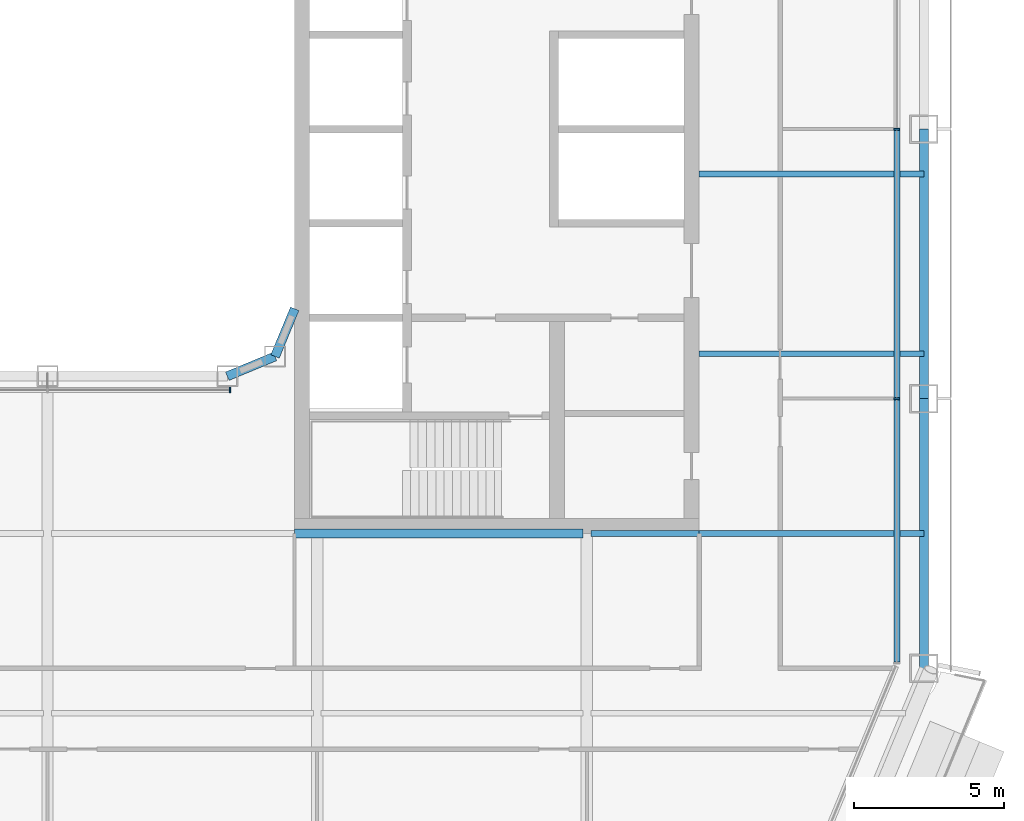
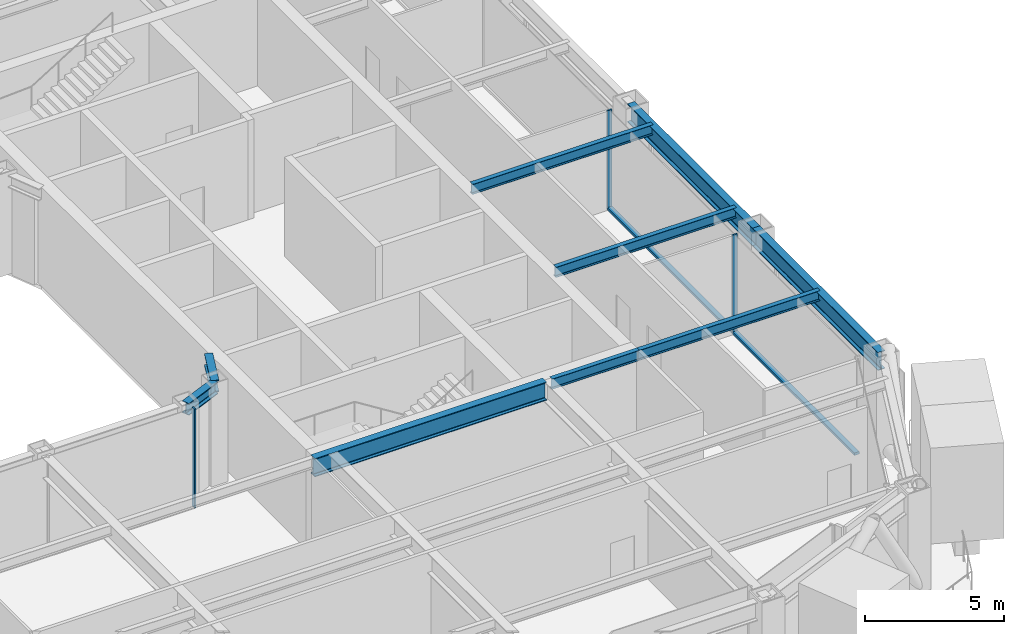
# One storey, part 5 of 23: 9 beams, 5 members, 2 elements without a shape of their own.
"""IFC4 building model written with IfcOpenShell, lengths in metres."""

from ifc_helpers import new_model, si_unit, direction, frame, origin, origin_2d, place, context, subcontext, project, spatial, rectangle, i_section, extrude, material, layer, layer_set, material_profile, profile_set, type_object, element, aggregate, save


model = new_model("IFC4")

# Units and contexts
model_context = context("Model", 3, precision=1e-05, world=origin(), true_north=direction((0.0, 1.0)))
body_context = subcontext(model_context, "Body", "Model", "MODEL_VIEW")
ifc_project = project(units=[si_unit("LENGTHUNIT", "METRE"), si_unit("AREAUNIT", "SQUARE_METRE"), si_unit("VOLUMEUNIT", "CUBIC_METRE"), si_unit("PLANEANGLEUNIT", "RADIAN"), si_unit("MASSUNIT", "GRAM", prefix="KILO")], contexts=[model_context])

# Site, building, storey
site_placement = place(None, origin())
site = spatial("IfcSite", under=ifc_project, at=site_placement, CompositionType="ELEMENT")
building_placement = place(site_placement, origin())
building = spatial("IfcBuilding", under=site, at=building_placement, Name="Siwar Civic Tower", CompositionType="ELEMENT")
storey_placement = place(building_placement, frame((0.0, 0.0, 127.199951171875)))
storey = spatial("IfcBuildingStorey", under=building, at=storey_placement, Name="L27", CompositionType="ELEMENT", Elevation=127.199951171875)

# Curtain wall, members
ifc_material_1 = material(Name="Aluminium and glass", Category="aluminium")
ifc_layer_1 = layer(ifc_material_1, 0.199951171875)
ifc_layer_set_1 = layer_set([ifc_layer_1], Name="Aluminium and glass")
curtain_wall_type_1 = type_object("IfcCurtainWallType", Name="ENV-CW-B", PredefinedType="NOTDEFINED", material=ifc_layer_set_1)
curtain_wall_1_placement = place(storey_placement, origin())
curtain_wall_1 = element("IfcCurtainWall", 1, at=curtain_wall_1_placement, inside=storey, type_object=curtain_wall_type_1, Name="Curtain wall B E", PredefinedType="NOTDEFINED")
ifc_material_2 = material(Name="Aluminium 6063-T6", Category="aluminium")
ifc_material_profile_1 = material_profile(ifc_material_2, rectangle(XDim=0.199951171875, YDim=0.06494140625, at=origin_2d()), Name="AL 200x65")
ifc_profile_set_1 = profile_set([ifc_material_profile_1], Name="Aluminium 6063-T6")
member_type_1 = type_object("IfcMemberType", Name="ENV-MULLION-B", PredefinedType="MULLION", material=ifc_profile_set_1)
member_1_placement = place(storey_placement, frame((28.35009765625, -9.0, 0.0), z_axis=(0.0, 0.0, 1.0), x_axis=(-1.0, 0.0, 0.0)))
member_1 = element("IfcMember", 2, at=member_1_placement, type_object=member_type_1, Name="Mullion B E 2", PredefinedType="MULLION", context=body_context, shape_type="SweptSolid", body=[
    extrude(rectangle(XDim=0.199951171875, YDim=0.06494140625, at=origin_2d()), origin(), (0.0, 0.0, 1.0), 4.35009765625),
])
member_2_placement = place(storey_placement, frame((28.35009765625, 0.0, 0.0), z_axis=(0.0, 0.0, 1.0), x_axis=(-1.0, 0.0, 0.0)))
member_2 = element("IfcMember", 3, at=member_2_placement, type_object=member_type_1, Name="Mullion B E 3", PredefinedType="MULLION", context=body_context, shape_type="SweptSolid", body=[
    extrude(rectangle(XDim=0.199951171875, YDim=0.06494140625, at=origin_2d()), origin(), (0.0, 0.0, 1.0), 4.35009765625),
])

# Curtain wall, member
ifc_material_3 = material(Name="Aluminium and glass", Category="aluminium")
ifc_layer_2 = layer(ifc_material_3, 0.179931640625)
ifc_layer_set_2 = layer_set([ifc_layer_2], Name="Aluminium and glass")
curtain_wall_type_2 = type_object("IfcCurtainWallType", Name="ENV-CW-W", PredefinedType="NOTDEFINED", material=ifc_layer_set_2)
curtain_wall_2_placement = place(storey_placement, origin())
curtain_wall_2 = element("IfcCurtainWall", 4, at=curtain_wall_2_placement, inside=storey, type_object=curtain_wall_type_2, Name="Curtain wall W WS", PredefinedType="NOTDEFINED")
ifc_material_4 = material(Name="Aluminium 6063-T6", Category="aluminium")
ifc_material_profile_2 = material_profile(ifc_material_4, rectangle(XDim=0.179931640625, YDim=0.06005859375, at=origin_2d()), Name="AL 180x60")
ifc_profile_set_2 = profile_set([ifc_material_profile_2], Name="Aluminium 6063-T6")
member_type_2 = type_object("IfcMemberType", Name="ENV-MULLION-W", PredefinedType="MULLION", material=ifc_profile_set_2)
member_3_placement = place(storey_placement, frame((6.091552734375, -8.7099609375, 0.0), z_axis=(0.0, 0.0, 1.0), x_axis=(0.0, 1.0, 0.0)))
member_3 = element("IfcMember", 5, at=member_3_placement, type_object=member_type_2, Name="Mullion W WS 3", PredefinedType="MULLION", context=body_context, shape_type="SweptSolid", body=[
    extrude(rectangle(XDim=0.179931640625, YDim=0.06005859375, at=origin_2d()), origin(), (0.0, 0.0, 1.0), 4.35009765625),
])
aggregate(curtain_wall_2, [member_3])

# Member
ifc_material_5 = material(Name="Aluminium 6063-T6", Category="aluminium")
ifc_material_profile_3 = material_profile(ifc_material_5, rectangle(XDim=0.199951171875, YDim=0.110107421875, at=origin_2d()), Name="AL 200x110")
ifc_profile_set_3 = profile_set([ifc_material_profile_3], Name="Aluminium 6063-T6")
member_type_3 = type_object("IfcMemberType", Name="ENV-TRANSOM-B", PredefinedType="USERDEFINED", material=ifc_profile_set_3)
member_4_placement = place(storey_placement, frame((28.35009765625, -17.78857421875, 0.054931640625), z_axis=(0.0, 1.0, 0.0), x_axis=(-1.0, 0.0, 0.0)))
member_4 = element("IfcMember", 6, at=member_4_placement, type_object=member_type_3, Name="Transom B E 1", ObjectType="TRANSOM", PredefinedType="USERDEFINED", context=body_context, shape_type="SweptSolid", body=[
    extrude(rectangle(XDim=0.199951171875, YDim=0.110107421875, at=origin_2d()), origin(), (0.0, 0.0, 1.0), 8.756103515625),
])

member_5_placement = place(storey_placement, frame((28.35009765625, -8.967529296875, 0.054931640625), z_axis=(0.0, 1.0, 0.0), x_axis=(-1.0, 0.0, 0.0)))
member_5 = element("IfcMember", 7, at=member_5_placement, type_object=member_type_3, Name="Transom B E 2", ObjectType="TRANSOM", PredefinedType="USERDEFINED", context=body_context, shape_type="SweptSolid", body=[
    extrude(rectangle(XDim=0.199951171875, YDim=0.110107421875, at=origin_2d()), origin(), (0.0, 0.0, 1.0), 8.93505859375),
])

aggregate(curtain_wall_1, [member_1, member_2, member_4, member_5])

# Beams
ifc_material_6 = material(Name="Steel S355", Category="steel")
ifc_material_profile_4 = material_profile(ifc_material_6, i_section(OverallWidth=0.18994140625, OverallDepth=0.449951171875, WebThickness=0.009521484375, FlangeThickness=0.0146484375, FilletRadius=0.02099609375, at=origin_2d()), Name="IPE450")
ifc_profile_set_4 = profile_set([ifc_material_profile_4], Name="Steel S355")
beam_type_1 = type_object("IfcBeamType", Name="STR-FB-IPE450", PredefinedType="JOIST", material=ifc_profile_set_4)
beam_1_placement = place(storey_placement, frame((18.1298828125, -13.5, 4.125), z_axis=(1.0, 0.0, 0.0), x_axis=(0.0, 1.0, 0.0)))
element("IfcBeam", 8, at=beam_1_placement, inside=storey, type_object=beam_type_1, Name="L27/bm/F019", PredefinedType="JOIST", context=body_context, shape_type="SweptSolid", body=[
    extrude(i_section(OverallWidth=0.18994140625, OverallDepth=0.449951171875, WebThickness=0.009521484375, FlangeThickness=0.0146484375, FilletRadius=0.02099609375, at=origin_2d()), origin(), (0.0, 0.0, 1.0), 3.6201171875),
])
for number, where, z_axis, x_axis, name in (
    (9, (21.75, -13.5, 4.125), (1.0, 0.0, 0.0), (0.0, 1.0, 0.0), "L27/bm/F020"),
    (10, (21.75, -7.5, 4.125), (1.0, 0.0, 0.0), (0.0, 1.0, 0.0), "L27/bm/F022"),
    (11, (21.75, -1.5, 4.125), (1.0, 0.0, 0.0), (0.0, 1.0, 0.0), "L27/bm/F024"),
):
    element("IfcBeam", number, at=place(storey_placement, frame(where, z_axis=z_axis, x_axis=x_axis)), inside=storey, type_object=beam_type_1, Name=name, PredefinedType="JOIST", context=body_context, shape_type="SweptSolid", body=[
        extrude(i_section(OverallWidth=0.18994140625, OverallDepth=0.449951171875, WebThickness=0.009521484375, FlangeThickness=0.0146484375, FilletRadius=0.02099609375, at=origin_2d()), origin(), (0.0, 0.0, 1.0), 7.5),
    ])
ifc_material_7 = material(Name="Steel S355", Category="steel")
ifc_material_profile_5 = material_profile(ifc_material_7, i_section(OverallWidth=0.300048828125, OverallDepth=0.800048828125, WebThickness=0.017578125, FlangeThickness=0.032958984375, FilletRadius=0.030029296875, at=origin_2d()), Name="HEB800")
ifc_profile_set_5 = profile_set([ifc_material_profile_5], Name="Steel S355")
beam_type_2 = type_object("IfcBeamType", Name="STR-PG-HEB800", PredefinedType="BEAM", material=ifc_profile_set_5)
beam_2_placement = place(storey_placement, frame((8.25, -13.5, 3.949951171875), z_axis=(1.0, 0.0, 0.0), x_axis=(0.0, 1.0, 0.0)))
element("IfcBeam", 12, at=beam_2_placement, inside=storey, type_object=beam_type_2, Name="L27/bm/F018", PredefinedType="BEAM", context=body_context, shape_type="SweptSolid", body=[
    extrude(i_section(OverallWidth=0.300048828125, OverallDepth=0.800048828125, WebThickness=0.017578125, FlangeThickness=0.032958984375, FilletRadius=0.030029296875, at=origin_2d()), origin(), (0.0, 0.0, 1.0), 9.6201171875),
])
ifc_material_8 = material(Name="Steel S355", Category="steel")
ifc_material_profile_6 = material_profile(ifc_material_8, i_section(OverallWidth=0.305908203125, OverallDepth=0.52392578125, WebThickness=0.02099609375, FlangeThickness=0.0400390625, FilletRadius=0.027099609375, at=origin_2d()), Name="HEM500")
ifc_profile_set_6 = profile_set([ifc_material_profile_6], Name="Steel S355")
beam_type_3 = type_object("IfcBeamType", Name="STR-RB-HEM500", PredefinedType="BEAM", material=ifc_profile_set_6)
for number, where, z_axis, x_axis, name in (
    (13, (6.0, -8.25, 4.088134765625), (0.923901072997, 0.382631424892, 0.0), (-0.382631424892, 0.923901072997, 0.0), "L27/bm/RS3"),
    (14, (7.591064453125, -7.591064453125, 4.088134765625), (0.382631424892, 0.923901072997, 0.0), (-0.923901072997, 0.382631424892, 0.0), "L27/bm/RSEE"),
):
    element("IfcBeam", number, at=place(storey_placement, frame(where, z_axis=z_axis, x_axis=x_axis)), inside=storey, type_object=beam_type_3, Name=name, PredefinedType="BEAM", context=body_context, shape_type="SweptSolid", body=[
        extrude(i_section(OverallWidth=0.305908203125, OverallDepth=0.52392578125, WebThickness=0.02099609375, FlangeThickness=0.0400390625, FilletRadius=0.027099609375, at=origin_2d()), origin(), (0.0, 0.0, 1.0), 1.72216796875),
    ])
ifc_material_9 = material(Name="Steel S355", Category="steel")
ifc_material_profile_7 = material_profile(ifc_material_9, i_section(OverallWidth=0.300048828125, OverallDepth=0.800048828125, WebThickness=0.017578125, FlangeThickness=0.032958984375, FilletRadius=0.030029296875, at=origin_2d()), Name="HEB800")
ifc_profile_set_7 = profile_set([ifc_material_profile_7], Name="Steel S355")
beam_type_4 = type_object("IfcBeamType", Name="STR-SB-HEB800", PredefinedType="BEAM", material=ifc_profile_set_7)
for number, where, z_axis, x_axis, name in (
    (15, (29.25, -18.0, 3.949951171875), (0.0, 1.0, 0.0), (-1.0, 0.0, 0.0), "L27/bm/SE-0"),
    (16, (29.25, -9.0, 3.949951171875), (0.0, 1.0, 0.0), (-1.0, 0.0, 0.0), "L27/bm/SE-1"),
):
    element("IfcBeam", number, at=place(storey_placement, frame(where, z_axis=z_axis, x_axis=x_axis)), inside=storey, type_object=beam_type_4, Name=name, PredefinedType="BEAM", context=body_context, shape_type="SweptSolid", body=[
        extrude(i_section(OverallWidth=0.300048828125, OverallDepth=0.800048828125, WebThickness=0.017578125, FlangeThickness=0.032958984375, FilletRadius=0.030029296875, at=origin_2d()), origin(), (0.0, 0.0, 1.0), 9.0),
    ])

save(model, "model.ifc")
